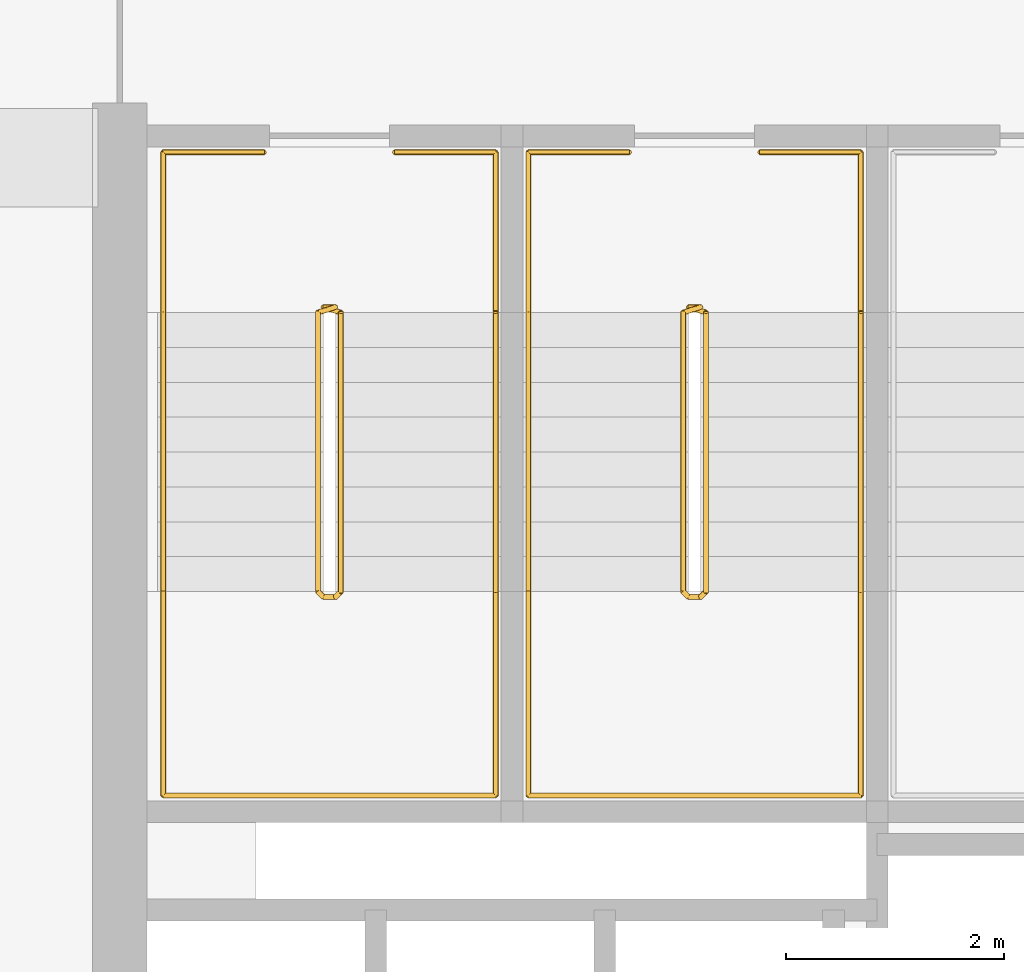
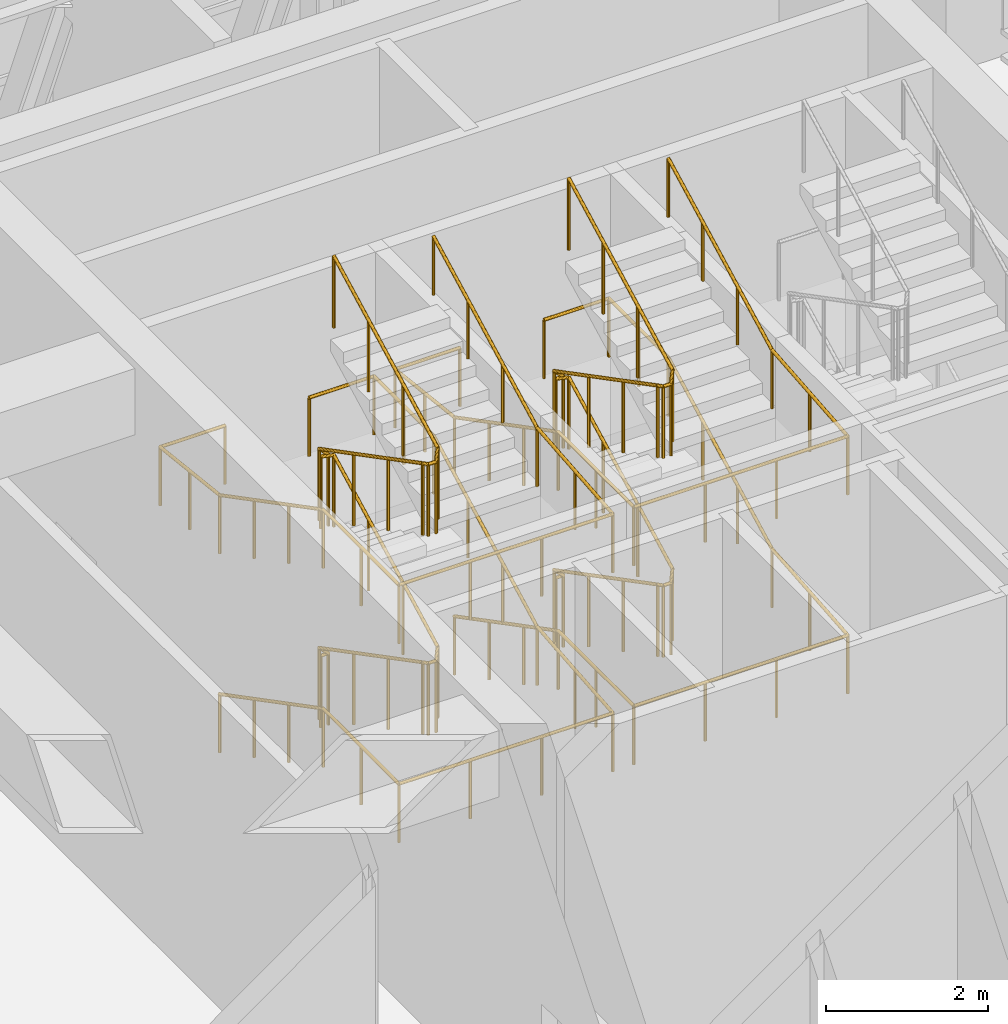
# One storey, part 18 of 19: 6 railings.
"""IFC4 building model written with IfcOpenShell, lengths in metres."""

from ifc_helpers import new_model, si_unit, direction, frame, origin, origin_2d, place, context, subcontext, project, spatial, circle, extrude, material, type_object, element, save


model = new_model("IFC4")

# Units and contexts
model_context = context("Model", 3, precision=1e-05, world=origin(), true_north=direction((0.0, 1.0)))
body_context = subcontext(model_context, "Body", "Model", "MODEL_VIEW")
ifc_project = project(units=[si_unit("LENGTHUNIT", "METRE"), si_unit("AREAUNIT", "SQUARE_METRE"), si_unit("VOLUMEUNIT", "CUBIC_METRE"), si_unit("PLANEANGLEUNIT", "RADIAN"), si_unit("MASSUNIT", "GRAM", prefix="KILO")], contexts=[model_context])

# Site, building, storey
site_placement = place(None, origin())
site = spatial("IfcSite", under=ifc_project, at=site_placement, CompositionType="ELEMENT")
building_placement = place(site_placement, origin())
building = spatial("IfcBuilding", under=site, at=building_placement, Name="Tessera Arch", CompositionType="ELEMENT")
storey_placement = place(building_placement, frame((0.0, 0.0, 197.300048828125)))
storey = spatial("IfcBuildingStorey", under=building, at=storey_placement, Name="L47", CompositionType="ELEMENT", Elevation=197.300048828125)

# Railings
ifc_material_1 = material(Name="Painted steel balustrade", Category="steel")
railing_type_1 = type_object("IfcRailingType", Name="Stair guard 1100", PredefinedType="GUARDRAIL", material=ifc_material_1)
railing_1_placement = place(storey_placement, frame((38.219970703125, 43.6298828125, 0.0)))
element("IfcRailing", 1, at=railing_1_placement, inside=storey, type_object=railing_type_1, Name="L47 S1a stair guard 1", PredefinedType="GUARDRAIL", context=body_context, shape_type="SweptSolid", body=[
    extrude(circle(Radius=0.02392578125, at=origin_2d()), frame((-0.00390625, 0.0, 1.076171875), z_axis=(1.0, 0.0, 0.0), x_axis=(0.0, 1.0, 0.0)), (0.0, 0.0, 1.0), 0.1181640625),
    extrude(circle(Radius=0.02392578125, at=origin_2d()), frame((0.11279296875, 0.000732421875, 1.0732421875), z_axis=(-0.677667147158, -0.210737954299, 0.704525906039), x_axis=(0.296948579431, -0.954893471113, 0.0)), (0.0, 0.0, 1.0), 0.244384765625),
    extrude(circle(Radius=0.02392578125, at=origin_2d()), frame((-0.050048828125, -0.046142578125, 1.24072265625), z_axis=(0.0, -0.886895313771, 0.46197045621), x_axis=(1.0, 0.0, 0.0)), (0.0, 0.0, 1.0), 2.89453125),
    extrude(circle(Radius=0.02392578125, at=origin_2d()), frame((-0.052978515625, -2.60693359375, 2.576171875), z_axis=(0.707106781187, -0.707106781187, 0.0), x_axis=(0.707106781187, 0.707106781187, 0.0)), (0.0, 0.0, 1.0), 0.078857421875),
    extrude(circle(Radius=0.02392578125, at=origin_2d()), frame((-0.00390625, -2.659912109375, 2.576171875), z_axis=(1.0, 0.0, 0.0), x_axis=(0.0, 1.0, 0.0)), (0.0, 0.0, 1.0), 0.1181640625),
    extrude(circle(Radius=0.02392578125, at=origin_2d()), frame((0.10888671875, -2.6611328125, 2.572265625), z_axis=(0.275382897532, 0.276732813696, 0.920642824102), x_axis=(-0.708833529934, 0.705375805398, 0.0)), (0.0, 0.0, 1.0), 0.18896484375),
    extrude(circle(Radius=0.02392578125, at=origin_2d()), frame((0.159912109375, -2.613525390625, 2.74072265625), z_axis=(0.0, 0.886895313771, 0.46197045621), x_axis=(-1.0, 0.0, 0.0)), (0.0, 0.0, 1.0), 2.89453125),
    extrude(circle(Radius=0.02392578125, at=origin_2d()), frame((0.163818359375, -0.051025390625, 4.076171875), z_axis=(-0.954764847777, 0.297361876254, 0.0), x_axis=(-0.297361876254, -0.954764847777, 0.0)), (0.0, 0.0, 1.0), 0.175537109375),
    extrude(circle(Radius=0.02392578125, at=origin_2d()), frame((-0.00390625, 0.0, 4.076171875), z_axis=(1.0, 0.0, 0.0), x_axis=(0.0, 1.0, 0.0)), (0.0, 0.0, 1.0), 0.1181640625),
    extrude(circle(Radius=0.02392578125, at=origin_2d()), frame((0.11279296875, 0.000732421875, 4.0732421875), z_axis=(-0.677667147158, -0.210737954299, 0.704525906039), x_axis=(0.296948579431, -0.954893471113, 0.0)), (0.0, 0.0, 1.0), 0.244384765625),
    extrude(circle(Radius=0.02392578125, at=origin_2d()), frame((-0.050048828125, -0.046142578125, 4.24072265625), z_axis=(0.0, -0.886895313771, 0.46197045621), x_axis=(1.0, 0.0, 0.0)), (0.0, 0.0, 1.0), 2.89453125),
    extrude(circle(Radius=0.02392578125, at=origin_2d()), frame((-0.052978515625, -2.60693359375, 5.576171875), z_axis=(0.707106781187, -0.707106781187, 0.0), x_axis=(0.707106781187, 0.707106781187, 0.0)), (0.0, 0.0, 1.0), 0.078857421875),
    extrude(circle(Radius=0.02392578125, at=origin_2d()), frame((-0.00390625, -2.659912109375, 5.576171875), z_axis=(1.0, 0.0, 0.0), x_axis=(0.0, 1.0, 0.0)), (0.0, 0.0, 1.0), 0.1181640625),
    extrude(circle(Radius=0.02392578125, at=origin_2d()), frame((0.10888671875, -2.6611328125, 5.572265625), z_axis=(0.275382897532, 0.276732813696, 0.920642824102), x_axis=(-0.708833529934, 0.705375805398, 0.0)), (0.0, 0.0, 1.0), 0.18896484375),
    extrude(circle(Radius=0.02392578125, at=origin_2d()), frame((0.159912109375, -2.613525390625, 5.74072265625), z_axis=(0.0, 0.886895313771, 0.46197045621), x_axis=(-1.0, 0.0, 0.0)), (0.0, 0.0, 1.0), 2.89453125),
    extrude(circle(Radius=0.02099609375, at=origin_2d()), origin(), (0.0, 0.0, 1.0), 1.06396484375),
    extrude(circle(Radius=0.02099609375, at=origin_2d()), frame((0.110107421875, 0.0, 0.0)), (0.0, 0.0, 1.0), 1.06396484375),
    extrude(circle(Radius=0.02099609375, at=origin_2d()), frame((-0.050048828125, -0.0498046875, 0.16650390625)), (0.0, 0.0, 1.0), 1.06396484375),
    extrude(circle(Radius=0.02099609375, at=origin_2d()), frame((-0.050048828125, -0.903076171875, 0.611083984375)), (0.0, 0.0, 1.0), 1.06396484375),
    extrude(circle(Radius=0.02099609375, at=origin_2d()), frame((-0.050048828125, -1.756591796875, 1.055419921875)), (0.0, 0.0, 1.0), 1.06396484375),
    extrude(circle(Radius=0.02099609375, at=origin_2d()), frame((-0.050048828125, -2.60986328125, 1.5)), (0.0, 0.0, 1.0), 1.06396484375),
    extrude(circle(Radius=0.02099609375, at=origin_2d()), frame((0.0, -2.659912109375, 1.5)), (0.0, 0.0, 1.0), 1.06396484375),
    extrude(circle(Radius=0.02099609375, at=origin_2d()), frame((0.110107421875, -2.659912109375, 1.5)), (0.0, 0.0, 1.0), 1.06396484375),
    extrude(circle(Radius=0.02099609375, at=origin_2d()), frame((0.159912109375, -2.60986328125, 1.66650390625)), (0.0, 0.0, 1.0), 1.06396484375),
    extrude(circle(Radius=0.02099609375, at=origin_2d()), frame((0.159912109375, -1.756591796875, 2.111083984375)), (0.0, 0.0, 1.0), 1.06396484375),
    extrude(circle(Radius=0.02099609375, at=origin_2d()), frame((0.159912109375, -0.903076171875, 2.555419921875)), (0.0, 0.0, 1.0), 1.06396484375),
    extrude(circle(Radius=0.02099609375, at=origin_2d()), frame((0.159912109375, -0.0498046875, 3.0)), (0.0, 0.0, 1.0), 1.06396484375),
    extrude(circle(Radius=0.02099609375, at=origin_2d()), frame((0.0, 0.0, 3.0)), (0.0, 0.0, 1.0), 1.06396484375),
    extrude(circle(Radius=0.02099609375, at=origin_2d()), frame((0.110107421875, 0.0, 3.0)), (0.0, 0.0, 1.0), 1.06396484375),
    extrude(circle(Radius=0.02099609375, at=origin_2d()), frame((-0.050048828125, -0.0498046875, 3.16650390625)), (0.0, 0.0, 1.0), 1.06396484375),
    extrude(circle(Radius=0.02099609375, at=origin_2d()), frame((-0.050048828125, -0.903076171875, 3.611083984375)), (0.0, 0.0, 1.0), 1.06396484375),
    extrude(circle(Radius=0.02099609375, at=origin_2d()), frame((-0.050048828125, -1.756591796875, 4.055419921875)), (0.0, 0.0, 1.0), 1.06396484375),
    extrude(circle(Radius=0.02099609375, at=origin_2d()), frame((-0.050048828125, -2.60986328125, 4.5)), (0.0, 0.0, 1.0), 1.06396484375),
    extrude(circle(Radius=0.02099609375, at=origin_2d()), frame((0.0, -2.659912109375, 4.5)), (0.0, 0.0, 1.0), 1.06396484375),
    extrude(circle(Radius=0.02099609375, at=origin_2d()), frame((0.110107421875, -2.659912109375, 4.5)), (0.0, 0.0, 1.0), 1.06396484375),
    extrude(circle(Radius=0.02099609375, at=origin_2d()), frame((0.159912109375, -2.60986328125, 4.66650390625)), (0.0, 0.0, 1.0), 1.06396484375),
    extrude(circle(Radius=0.02099609375, at=origin_2d()), frame((0.159912109375, -1.756591796875, 5.111083984375)), (0.0, 0.0, 1.0), 1.06396484375),
    extrude(circle(Radius=0.02099609375, at=origin_2d()), frame((0.159912109375, -0.903076171875, 5.555419921875)), (0.0, 0.0, 1.0), 1.06396484375),
    extrude(circle(Radius=0.02099609375, at=origin_2d()), frame((0.159912109375, -0.0498046875, 6.0)), (0.0, 0.0, 1.0), 1.06396484375),
])
railing_2_placement = place(storey_placement, frame((41.570068359375, 43.6298828125, 0.0)))
element("IfcRailing", 2, at=railing_2_placement, inside=storey, type_object=railing_type_1, Name="L47 S1b stair guard 1", PredefinedType="GUARDRAIL", context=body_context, shape_type="SweptSolid", body=[
    extrude(circle(Radius=0.02392578125, at=origin_2d()), frame((-0.00390625, 0.0, 1.076171875), z_axis=(1.0, 0.0, 0.0), x_axis=(0.0, 1.0, 0.0)), (0.0, 0.0, 1.0), 0.117919921875),
    extrude(circle(Radius=0.02392578125, at=origin_2d()), frame((0.112548828125, 0.000732421875, 1.0732421875), z_axis=(-0.67710793183, -0.210885523807, 0.705019251157), x_axis=(0.297361876254, -0.954764847777, 0.0)), (0.0, 0.0, 1.0), 0.244140625),
    extrude(circle(Radius=0.02392578125, at=origin_2d()), frame((-0.050048828125, -0.046142578125, 1.24072265625), z_axis=(0.0, -0.886895313771, 0.46197045621), x_axis=(1.0, 0.0, 0.0)), (0.0, 0.0, 1.0), 2.89453125),
    extrude(circle(Radius=0.02392578125, at=origin_2d()), frame((-0.052978515625, -2.60693359375, 2.576171875), z_axis=(0.707106781187, -0.707106781187, 0.0), x_axis=(0.707106781187, 0.707106781187, 0.0)), (0.0, 0.0, 1.0), 0.078857421875),
    extrude(circle(Radius=0.02392578125, at=origin_2d()), frame((-0.00390625, -2.659912109375, 2.576171875), z_axis=(1.0, 0.0, 0.0), x_axis=(0.0, 1.0, 0.0)), (0.0, 0.0, 1.0), 0.117919921875),
    extrude(circle(Radius=0.02392578125, at=origin_2d()), frame((0.108642578125, -2.6611328125, 2.572265625), z_axis=(0.27662974545, 0.27662974545, 0.920299933644), x_axis=(-0.707106781187, 0.707106781187, 0.0)), (0.0, 0.0, 1.0), 0.18896484375),
    extrude(circle(Radius=0.02392578125, at=origin_2d()), frame((0.159912109375, -2.613525390625, 2.74072265625), z_axis=(0.0, 0.886895313771, 0.46197045621), x_axis=(-1.0, 0.0, 0.0)), (0.0, 0.0, 1.0), 2.89453125),
    extrude(circle(Radius=0.02392578125, at=origin_2d()), frame((0.163818359375, -0.051025390625, 4.076171875), z_axis=(-0.954764847777, 0.297361876254, 0.0), x_axis=(-0.297361876254, -0.954764847777, 0.0)), (0.0, 0.0, 1.0), 0.175537109375),
    extrude(circle(Radius=0.02392578125, at=origin_2d()), frame((-0.00390625, 0.0, 4.076171875), z_axis=(1.0, 0.0, 0.0), x_axis=(0.0, 1.0, 0.0)), (0.0, 0.0, 1.0), 0.117919921875),
    extrude(circle(Radius=0.02392578125, at=origin_2d()), frame((0.112548828125, 0.000732421875, 4.0732421875), z_axis=(-0.67710793183, -0.210885523807, 0.705019251157), x_axis=(0.297361876254, -0.954764847777, 0.0)), (0.0, 0.0, 1.0), 0.244140625),
    extrude(circle(Radius=0.02392578125, at=origin_2d()), frame((-0.050048828125, -0.046142578125, 4.24072265625), z_axis=(0.0, -0.886895313771, 0.46197045621), x_axis=(1.0, 0.0, 0.0)), (0.0, 0.0, 1.0), 2.89453125),
    extrude(circle(Radius=0.02392578125, at=origin_2d()), frame((-0.052978515625, -2.60693359375, 5.576171875), z_axis=(0.707106781187, -0.707106781187, 0.0), x_axis=(0.707106781187, 0.707106781187, 0.0)), (0.0, 0.0, 1.0), 0.078857421875),
    extrude(circle(Radius=0.02392578125, at=origin_2d()), frame((-0.00390625, -2.659912109375, 5.576171875), z_axis=(1.0, 0.0, 0.0), x_axis=(0.0, 1.0, 0.0)), (0.0, 0.0, 1.0), 0.117919921875),
    extrude(circle(Radius=0.02392578125, at=origin_2d()), frame((0.108642578125, -2.6611328125, 5.572265625), z_axis=(0.27662974545, 0.27662974545, 0.920299933644), x_axis=(-0.707106781187, 0.707106781187, 0.0)), (0.0, 0.0, 1.0), 0.18896484375),
    extrude(circle(Radius=0.02392578125, at=origin_2d()), frame((0.159912109375, -2.613525390625, 5.74072265625), z_axis=(0.0, 0.886895313771, 0.46197045621), x_axis=(-1.0, 0.0, 0.0)), (0.0, 0.0, 1.0), 2.89453125),
    extrude(circle(Radius=0.02099609375, at=origin_2d()), origin(), (0.0, 0.0, 1.0), 1.06396484375),
    extrude(circle(Radius=0.02099609375, at=origin_2d()), frame((0.10986328125, 0.0, 0.0)), (0.0, 0.0, 1.0), 1.06396484375),
    extrude(circle(Radius=0.02099609375, at=origin_2d()), frame((-0.050048828125, -0.0498046875, 0.16650390625)), (0.0, 0.0, 1.0), 1.06396484375),
    extrude(circle(Radius=0.02099609375, at=origin_2d()), frame((-0.050048828125, -0.903076171875, 0.611083984375)), (0.0, 0.0, 1.0), 1.06396484375),
    extrude(circle(Radius=0.02099609375, at=origin_2d()), frame((-0.050048828125, -1.756591796875, 1.055419921875)), (0.0, 0.0, 1.0), 1.06396484375),
    extrude(circle(Radius=0.02099609375, at=origin_2d()), frame((-0.050048828125, -2.60986328125, 1.5)), (0.0, 0.0, 1.0), 1.06396484375),
    extrude(circle(Radius=0.02099609375, at=origin_2d()), frame((0.0, -2.659912109375, 1.5)), (0.0, 0.0, 1.0), 1.06396484375),
    extrude(circle(Radius=0.02099609375, at=origin_2d()), frame((0.10986328125, -2.659912109375, 1.5)), (0.0, 0.0, 1.0), 1.06396484375),
    extrude(circle(Radius=0.02099609375, at=origin_2d()), frame((0.159912109375, -2.60986328125, 1.66650390625)), (0.0, 0.0, 1.0), 1.06396484375),
    extrude(circle(Radius=0.02099609375, at=origin_2d()), frame((0.159912109375, -1.756591796875, 2.111083984375)), (0.0, 0.0, 1.0), 1.06396484375),
    extrude(circle(Radius=0.02099609375, at=origin_2d()), frame((0.159912109375, -0.903076171875, 2.555419921875)), (0.0, 0.0, 1.0), 1.06396484375),
    extrude(circle(Radius=0.02099609375, at=origin_2d()), frame((0.159912109375, -0.0498046875, 3.0)), (0.0, 0.0, 1.0), 1.06396484375),
    extrude(circle(Radius=0.02099609375, at=origin_2d()), frame((0.0, 0.0, 3.0)), (0.0, 0.0, 1.0), 1.06396484375),
    extrude(circle(Radius=0.02099609375, at=origin_2d()), frame((0.10986328125, 0.0, 3.0)), (0.0, 0.0, 1.0), 1.06396484375),
    extrude(circle(Radius=0.02099609375, at=origin_2d()), frame((-0.050048828125, -0.0498046875, 3.16650390625)), (0.0, 0.0, 1.0), 1.06396484375),
    extrude(circle(Radius=0.02099609375, at=origin_2d()), frame((-0.050048828125, -0.903076171875, 3.611083984375)), (0.0, 0.0, 1.0), 1.06396484375),
    extrude(circle(Radius=0.02099609375, at=origin_2d()), frame((-0.050048828125, -1.756591796875, 4.055419921875)), (0.0, 0.0, 1.0), 1.06396484375),
    extrude(circle(Radius=0.02099609375, at=origin_2d()), frame((-0.050048828125, -2.60986328125, 4.5)), (0.0, 0.0, 1.0), 1.06396484375),
    extrude(circle(Radius=0.02099609375, at=origin_2d()), frame((0.0, -2.659912109375, 4.5)), (0.0, 0.0, 1.0), 1.06396484375),
    extrude(circle(Radius=0.02099609375, at=origin_2d()), frame((0.10986328125, -2.659912109375, 4.5)), (0.0, 0.0, 1.0), 1.06396484375),
    extrude(circle(Radius=0.02099609375, at=origin_2d()), frame((0.159912109375, -2.60986328125, 4.66650390625)), (0.0, 0.0, 1.0), 1.06396484375),
    extrude(circle(Radius=0.02099609375, at=origin_2d()), frame((0.159912109375, -1.756591796875, 5.111083984375)), (0.0, 0.0, 1.0), 1.06396484375),
    extrude(circle(Radius=0.02099609375, at=origin_2d()), frame((0.159912109375, -0.903076171875, 5.555419921875)), (0.0, 0.0, 1.0), 1.06396484375),
    extrude(circle(Radius=0.02099609375, at=origin_2d()), frame((0.159912109375, -0.0498046875, 6.0)), (0.0, 0.0, 1.0), 1.06396484375),
])
ifc_material_2 = material(Name="Painted steel handrail", Category="steel")
railing_type_2 = type_object("IfcRailingType", Name="Stair handrail 900", PredefinedType="HANDRAIL", material=ifc_material_2)
railing_3_placement = place(storey_placement, frame((36.75, 43.580078125, 0.16650390625)))
element("IfcRailing", 3, at=railing_3_placement, inside=storey, type_object=railing_type_2, Name="L47 S1a stair handrail", PredefinedType="HANDRAIL", context=body_context, shape_type="SweptSolid", body=[
    extrude(circle(Radius=0.02392578125, at=origin_2d()), frame((0.0, 0.003662109375, 0.8740234375), z_axis=(0.0, -0.886895313771, 0.46197045621), x_axis=(1.0, 0.0, 0.0)), (0.0, 0.0, 1.0), 2.89453125),
    extrude(circle(Radius=0.02392578125, at=origin_2d()), frame((0.0, -2.55615234375, 2.20947265625), z_axis=(0.0, -1.0, 0.0), x_axis=(1.0, 0.0, 0.0)), (0.0, 0.0, 1.0), 1.878173828125),
    extrude(circle(Radius=0.02392578125, at=origin_2d()), frame((-0.00390625, -4.43017578125, 2.20947265625), z_axis=(1.0, 0.0, 0.0), x_axis=(0.0, 1.0, 0.0)), (0.0, 0.0, 1.0), 3.05810546875),
    extrude(circle(Radius=0.02392578125, at=origin_2d()), frame((3.050048828125, -4.43408203125, 2.208984375), z_axis=(0.0, 0.996059888199, 0.088683138871), x_axis=(-1.0, 0.0, 0.0)), (0.0, 0.0, 1.0), 1.885498046875),
    extrude(circle(Radius=0.02392578125, at=origin_2d()), frame((3.050048828125, -2.563720703125, 2.3740234375), z_axis=(0.0, 0.886895313771, 0.46197045621), x_axis=(-1.0, 0.0, 0.0)), (0.0, 0.0, 1.0), 2.89453125),
    extrude(circle(Radius=0.02392578125, at=origin_2d()), frame((3.050048828125, -0.00390625, 3.70947265625), z_axis=(0.0, 1.0, 0.0), x_axis=(-1.0, 0.0, 0.0)), (0.0, 0.0, 1.0), 1.47802734375),
    extrude(circle(Radius=0.02392578125, at=origin_2d()), frame((3.053955078125, 1.469970703125, 3.70947265625), z_axis=(-1.0, 0.0, 0.0), x_axis=(0.0, -1.0, 0.0)), (0.0, 0.0, 1.0), 0.93310546875),
    extrude(circle(Radius=0.02099609375, at=origin_2d()), origin(), (0.0, 0.0, 1.0), 0.86376953125),
    extrude(circle(Radius=0.02099609375, at=origin_2d()), frame((0.0, -0.853271484375, 0.444580078125)), (0.0, 0.0, 1.0), 0.86376953125),
    extrude(circle(Radius=0.02099609375, at=origin_2d()), frame((0.0, -1.706787109375, 0.888916015625)), (0.0, 0.0, 1.0), 0.86376953125),
    extrude(circle(Radius=0.02099609375, at=origin_2d()), frame((0.0, -2.56005859375, 1.33349609375)), (0.0, 0.0, 1.0), 0.86376953125),
    extrude(circle(Radius=0.02099609375, at=origin_2d()), frame((0.0, -3.4951171875, 1.33349609375)), (0.0, 0.0, 1.0), 0.86376953125),
    extrude(circle(Radius=0.02099609375, at=origin_2d()), frame((0.0, -4.43017578125, 1.33349609375)), (0.0, 0.0, 1.0), 0.86376953125),
    extrude(circle(Radius=0.02099609375, at=origin_2d()), frame((1.0166015625, -4.43017578125, 1.33349609375)), (0.0, 0.0, 1.0), 0.86376953125),
    extrude(circle(Radius=0.02099609375, at=origin_2d()), frame((2.033447265625, -4.43017578125, 1.33349609375)), (0.0, 0.0, 1.0), 0.86376953125),
    extrude(circle(Radius=0.02099609375, at=origin_2d()), frame((3.050048828125, -4.43017578125, 1.33349609375)), (0.0, 0.0, 1.0), 0.86376953125),
    extrude(circle(Radius=0.02099609375, at=origin_2d()), frame((3.050048828125, -3.4951171875, 1.416748046875)), (0.0, 0.0, 1.0), 0.86376953125),
    extrude(circle(Radius=0.02099609375, at=origin_2d()), frame((3.050048828125, -2.56005859375, 1.5)), (0.0, 0.0, 1.0), 0.86376953125),
    extrude(circle(Radius=0.02099609375, at=origin_2d()), frame((3.050048828125, -1.706787109375, 1.944580078125)), (0.0, 0.0, 1.0), 0.86376953125),
    extrude(circle(Radius=0.02099609375, at=origin_2d()), frame((3.050048828125, -0.853271484375, 2.388916015625)), (0.0, 0.0, 1.0), 0.86376953125),
    extrude(circle(Radius=0.02099609375, at=origin_2d()), frame((3.050048828125, 0.0, 2.83349609375)), (0.0, 0.0, 1.0), 0.86376953125),
    extrude(circle(Radius=0.02099609375, at=origin_2d()), frame((3.050048828125, 0.73486328125, 2.83349609375)), (0.0, 0.0, 1.0), 0.86376953125),
    extrude(circle(Radius=0.02099609375, at=origin_2d()), frame((3.050048828125, 1.469970703125, 2.83349609375)), (0.0, 0.0, 1.0), 0.86376953125),
    extrude(circle(Radius=0.02099609375, at=origin_2d()), frame((2.125, 1.469970703125, 2.83349609375)), (0.0, 0.0, 1.0), 0.86376953125),
])
railing_4_placement = place(storey_placement, frame((37.675048828125, 45.050048828125, 3.0)))
element("IfcRailing", 4, at=railing_4_placement, inside=storey, type_object=railing_type_2, Name="L47 S1a stair handrail 2", PredefinedType="HANDRAIL", context=body_context, shape_type="SweptSolid", body=[
    extrude(circle(Radius=0.02392578125, at=origin_2d()), frame((0.00390625, 0.0, 0.8759765625), z_axis=(-1.0, 0.0, 0.0), x_axis=(0.0, -1.0, 0.0)), (0.0, 0.0, 1.0), 0.93310546875),
    extrude(circle(Radius=0.02392578125, at=origin_2d()), frame((-0.925048828125, 0.00390625, 0.87548828125), z_axis=(0.0, -0.993646005566, 0.11255050254), x_axis=(1.0, 0.0, 0.0)), (0.0, 0.0, 1.0), 1.4873046875),
    extrude(circle(Radius=0.02392578125, at=origin_2d()), frame((-0.925048828125, -1.46630859375, 1.04052734375), z_axis=(0.0, -0.886895313771, 0.46197045621), x_axis=(1.0, 0.0, 0.0)), (0.0, 0.0, 1.0), 2.89453125),
    extrude(circle(Radius=0.02392578125, at=origin_2d()), frame((-0.925048828125, -4.026123046875, 2.3759765625), z_axis=(0.0, -1.0, 0.0), x_axis=(1.0, 0.0, 0.0)), (0.0, 0.0, 1.0), 1.878173828125),
    extrude(circle(Radius=0.02392578125, at=origin_2d()), frame((-0.928955078125, -5.900146484375, 2.3759765625), z_axis=(1.0, 0.0, 0.0), x_axis=(0.0, 1.0, 0.0)), (0.0, 0.0, 1.0), 3.05810546875),
    extrude(circle(Radius=0.02392578125, at=origin_2d()), frame((2.125, -5.904052734375, 2.37548828125), z_axis=(0.0, 0.996059888199, 0.088683138871), x_axis=(-1.0, 0.0, 0.0)), (0.0, 0.0, 1.0), 1.885498046875),
    extrude(circle(Radius=0.02392578125, at=origin_2d()), frame((2.125, -4.03369140625, 2.54052734375), z_axis=(0.0, 0.886895313771, 0.46197045621), x_axis=(-1.0, 0.0, 0.0)), (0.0, 0.0, 1.0), 2.89453125),
    extrude(circle(Radius=0.02099609375, at=origin_2d()), origin(), (0.0, 0.0, 1.0), 0.86376953125),
    extrude(circle(Radius=0.02099609375, at=origin_2d()), frame((-0.925048828125, 0.0, 0.0)), (0.0, 0.0, 1.0), 0.86376953125),
    extrude(circle(Radius=0.02099609375, at=origin_2d()), frame((-0.925048828125, -0.73486328125, 0.083251953125)), (0.0, 0.0, 1.0), 0.86376953125),
    extrude(circle(Radius=0.02099609375, at=origin_2d()), frame((-0.925048828125, -1.469970703125, 0.16650390625)), (0.0, 0.0, 1.0), 0.86376953125),
    extrude(circle(Radius=0.02099609375, at=origin_2d()), frame((-0.925048828125, -2.3232421875, 0.611083984375)), (0.0, 0.0, 1.0), 0.86376953125),
    extrude(circle(Radius=0.02099609375, at=origin_2d()), frame((-0.925048828125, -3.1767578125, 1.055419921875)), (0.0, 0.0, 1.0), 0.86376953125),
    extrude(circle(Radius=0.02099609375, at=origin_2d()), frame((-0.925048828125, -4.030029296875, 1.5)), (0.0, 0.0, 1.0), 0.86376953125),
    extrude(circle(Radius=0.02099609375, at=origin_2d()), frame((-0.925048828125, -4.965087890625, 1.5)), (0.0, 0.0, 1.0), 0.86376953125),
    extrude(circle(Radius=0.02099609375, at=origin_2d()), frame((-0.925048828125, -5.900146484375, 1.5)), (0.0, 0.0, 1.0), 0.86376953125),
    extrude(circle(Radius=0.02099609375, at=origin_2d()), frame((0.091552734375, -5.900146484375, 1.5)), (0.0, 0.0, 1.0), 0.86376953125),
    extrude(circle(Radius=0.02099609375, at=origin_2d()), frame((1.1083984375, -5.900146484375, 1.5)), (0.0, 0.0, 1.0), 0.86376953125),
    extrude(circle(Radius=0.02099609375, at=origin_2d()), frame((2.125, -5.900146484375, 1.5)), (0.0, 0.0, 1.0), 0.86376953125),
    extrude(circle(Radius=0.02099609375, at=origin_2d()), frame((2.125, -4.965087890625, 1.583251953125)), (0.0, 0.0, 1.0), 0.86376953125),
    extrude(circle(Radius=0.02099609375, at=origin_2d()), frame((2.125, -4.030029296875, 1.66650390625)), (0.0, 0.0, 1.0), 0.86376953125),
    extrude(circle(Radius=0.02099609375, at=origin_2d()), frame((2.125, -3.1767578125, 2.111083984375)), (0.0, 0.0, 1.0), 0.86376953125),
    extrude(circle(Radius=0.02099609375, at=origin_2d()), frame((2.125, -2.3232421875, 2.555419921875)), (0.0, 0.0, 1.0), 0.86376953125),
    extrude(circle(Radius=0.02099609375, at=origin_2d()), frame((2.125, -1.469970703125, 3.0)), (0.0, 0.0, 1.0), 0.86376953125),
])
railing_5_placement = place(storey_placement, frame((40.10009765625, 43.580078125, 0.16650390625)))
element("IfcRailing", 5, at=railing_5_placement, inside=storey, type_object=railing_type_2, Name="L47 S1b stair handrail", PredefinedType="HANDRAIL", context=body_context, shape_type="SweptSolid", body=[
    extrude(circle(Radius=0.02392578125, at=origin_2d()), frame((0.0, 0.003662109375, 0.8740234375), z_axis=(0.0, -0.886895313771, 0.46197045621), x_axis=(1.0, 0.0, 0.0)), (0.0, 0.0, 1.0), 2.89453125),
    extrude(circle(Radius=0.02392578125, at=origin_2d()), frame((0.0, -2.55615234375, 2.20947265625), z_axis=(0.0, -1.0, 0.0), x_axis=(1.0, 0.0, 0.0)), (0.0, 0.0, 1.0), 1.878173828125),
    extrude(circle(Radius=0.02392578125, at=origin_2d()), frame((-0.00390625, -4.43017578125, 2.20947265625), z_axis=(1.0, 0.0, 0.0), x_axis=(0.0, 1.0, 0.0)), (0.0, 0.0, 1.0), 3.057861328125),
    extrude(circle(Radius=0.02392578125, at=origin_2d()), frame((3.0498046875, -4.43408203125, 2.208984375), z_axis=(0.0, 0.996059888199, 0.088683138871), x_axis=(-1.0, 0.0, 0.0)), (0.0, 0.0, 1.0), 1.885498046875),
    extrude(circle(Radius=0.02392578125, at=origin_2d()), frame((3.0498046875, -2.563720703125, 2.3740234375), z_axis=(0.0, 0.886895313771, 0.46197045621), x_axis=(-1.0, 0.0, 0.0)), (0.0, 0.0, 1.0), 2.89453125),
    extrude(circle(Radius=0.02392578125, at=origin_2d()), frame((3.0498046875, -0.00390625, 3.70947265625), z_axis=(0.0, 1.0, 0.0), x_axis=(-1.0, 0.0, 0.0)), (0.0, 0.0, 1.0), 1.47802734375),
    extrude(circle(Radius=0.02392578125, at=origin_2d()), frame((3.0537109375, 1.469970703125, 3.70947265625), z_axis=(-1.0, 0.0, 0.0), x_axis=(0.0, -1.0, 0.0)), (0.0, 0.0, 1.0), 0.932861328125),
    extrude(circle(Radius=0.02099609375, at=origin_2d()), origin(), (0.0, 0.0, 1.0), 0.86376953125),
    extrude(circle(Radius=0.02099609375, at=origin_2d()), frame((0.0, -0.853271484375, 0.444580078125)), (0.0, 0.0, 1.0), 0.86376953125),
    extrude(circle(Radius=0.02099609375, at=origin_2d()), frame((0.0, -1.706787109375, 0.888916015625)), (0.0, 0.0, 1.0), 0.86376953125),
    extrude(circle(Radius=0.02099609375, at=origin_2d()), frame((0.0, -2.56005859375, 1.33349609375)), (0.0, 0.0, 1.0), 0.86376953125),
    extrude(circle(Radius=0.02099609375, at=origin_2d()), frame((0.0, -3.4951171875, 1.33349609375)), (0.0, 0.0, 1.0), 0.86376953125),
    extrude(circle(Radius=0.02099609375, at=origin_2d()), frame((0.0, -4.43017578125, 1.33349609375)), (0.0, 0.0, 1.0), 0.86376953125),
    extrude(circle(Radius=0.02099609375, at=origin_2d()), frame((1.0166015625, -4.43017578125, 1.33349609375)), (0.0, 0.0, 1.0), 0.86376953125),
    extrude(circle(Radius=0.02099609375, at=origin_2d()), frame((2.033203125, -4.43017578125, 1.33349609375)), (0.0, 0.0, 1.0), 0.86376953125),
    extrude(circle(Radius=0.02099609375, at=origin_2d()), frame((3.0498046875, -4.43017578125, 1.33349609375)), (0.0, 0.0, 1.0), 0.86376953125),
    extrude(circle(Radius=0.02099609375, at=origin_2d()), frame((3.0498046875, -3.4951171875, 1.416748046875)), (0.0, 0.0, 1.0), 0.86376953125),
    extrude(circle(Radius=0.02099609375, at=origin_2d()), frame((3.0498046875, -2.56005859375, 1.5)), (0.0, 0.0, 1.0), 0.86376953125),
    extrude(circle(Radius=0.02099609375, at=origin_2d()), frame((3.0498046875, -1.706787109375, 1.944580078125)), (0.0, 0.0, 1.0), 0.86376953125),
    extrude(circle(Radius=0.02099609375, at=origin_2d()), frame((3.0498046875, -0.853271484375, 2.388916015625)), (0.0, 0.0, 1.0), 0.86376953125),
    extrude(circle(Radius=0.02099609375, at=origin_2d()), frame((3.0498046875, 0.0, 2.83349609375)), (0.0, 0.0, 1.0), 0.86376953125),
    extrude(circle(Radius=0.02099609375, at=origin_2d()), frame((3.0498046875, 0.73486328125, 2.83349609375)), (0.0, 0.0, 1.0), 0.86376953125),
    extrude(circle(Radius=0.02099609375, at=origin_2d()), frame((3.0498046875, 1.469970703125, 2.83349609375)), (0.0, 0.0, 1.0), 0.86376953125),
    extrude(circle(Radius=0.02099609375, at=origin_2d()), frame((2.125, 1.469970703125, 2.83349609375)), (0.0, 0.0, 1.0), 0.86376953125),
])
railing_6_placement = place(storey_placement, frame((41.02490234375, 45.050048828125, 3.0)))
element("IfcRailing", 6, at=railing_6_placement, inside=storey, type_object=railing_type_2, Name="L47 S1b stair handrail 2", PredefinedType="HANDRAIL", context=body_context, shape_type="SweptSolid", body=[
    extrude(circle(Radius=0.02392578125, at=origin_2d()), frame((0.00390625, 0.0, 0.8759765625), z_axis=(-1.0, 0.0, 0.0), x_axis=(0.0, -1.0, 0.0)), (0.0, 0.0, 1.0), 0.932861328125),
    extrude(circle(Radius=0.02392578125, at=origin_2d()), frame((-0.9248046875, 0.00390625, 0.87548828125), z_axis=(0.0, -0.993646005566, 0.11255050254), x_axis=(1.0, 0.0, 0.0)), (0.0, 0.0, 1.0), 1.4873046875),
    extrude(circle(Radius=0.02392578125, at=origin_2d()), frame((-0.9248046875, -1.46630859375, 1.04052734375), z_axis=(0.0, -0.886895313771, 0.46197045621), x_axis=(1.0, 0.0, 0.0)), (0.0, 0.0, 1.0), 2.89453125),
    extrude(circle(Radius=0.02392578125, at=origin_2d()), frame((-0.9248046875, -4.026123046875, 2.3759765625), z_axis=(0.0, -1.0, 0.0), x_axis=(1.0, 0.0, 0.0)), (0.0, 0.0, 1.0), 1.878173828125),
    extrude(circle(Radius=0.02392578125, at=origin_2d()), frame((-0.9287109375, -5.900146484375, 2.3759765625), z_axis=(1.0, 0.0, 0.0), x_axis=(0.0, 1.0, 0.0)), (0.0, 0.0, 1.0), 3.057861328125),
    extrude(circle(Radius=0.02392578125, at=origin_2d()), frame((2.125, -5.904052734375, 2.37548828125), z_axis=(0.0, 0.996059888199, 0.088683138871), x_axis=(-1.0, 0.0, 0.0)), (0.0, 0.0, 1.0), 1.885498046875),
    extrude(circle(Radius=0.02392578125, at=origin_2d()), frame((2.125, -4.03369140625, 2.54052734375), z_axis=(0.0, 0.886895313771, 0.46197045621), x_axis=(-1.0, 0.0, 0.0)), (0.0, 0.0, 1.0), 2.89453125),
    extrude(circle(Radius=0.02099609375, at=origin_2d()), origin(), (0.0, 0.0, 1.0), 0.86376953125),
    extrude(circle(Radius=0.02099609375, at=origin_2d()), frame((-0.9248046875, 0.0, 0.0)), (0.0, 0.0, 1.0), 0.86376953125),
    extrude(circle(Radius=0.02099609375, at=origin_2d()), frame((-0.9248046875, -0.73486328125, 0.083251953125)), (0.0, 0.0, 1.0), 0.86376953125),
    extrude(circle(Radius=0.02099609375, at=origin_2d()), frame((-0.9248046875, -1.469970703125, 0.16650390625)), (0.0, 0.0, 1.0), 0.86376953125),
    extrude(circle(Radius=0.02099609375, at=origin_2d()), frame((-0.9248046875, -2.3232421875, 0.611083984375)), (0.0, 0.0, 1.0), 0.86376953125),
    extrude(circle(Radius=0.02099609375, at=origin_2d()), frame((-0.9248046875, -3.1767578125, 1.055419921875)), (0.0, 0.0, 1.0), 0.86376953125),
    extrude(circle(Radius=0.02099609375, at=origin_2d()), frame((-0.9248046875, -4.030029296875, 1.5)), (0.0, 0.0, 1.0), 0.86376953125),
    extrude(circle(Radius=0.02099609375, at=origin_2d()), frame((-0.9248046875, -4.965087890625, 1.5)), (0.0, 0.0, 1.0), 0.86376953125),
    extrude(circle(Radius=0.02099609375, at=origin_2d()), frame((-0.9248046875, -5.900146484375, 1.5)), (0.0, 0.0, 1.0), 0.86376953125),
    extrude(circle(Radius=0.02099609375, at=origin_2d()), frame((0.091796875, -5.900146484375, 1.5)), (0.0, 0.0, 1.0), 0.86376953125),
    extrude(circle(Radius=0.02099609375, at=origin_2d()), frame((1.1083984375, -5.900146484375, 1.5)), (0.0, 0.0, 1.0), 0.86376953125),
    extrude(circle(Radius=0.02099609375, at=origin_2d()), frame((2.125, -5.900146484375, 1.5)), (0.0, 0.0, 1.0), 0.86376953125),
    extrude(circle(Radius=0.02099609375, at=origin_2d()), frame((2.125, -4.965087890625, 1.583251953125)), (0.0, 0.0, 1.0), 0.86376953125),
    extrude(circle(Radius=0.02099609375, at=origin_2d()), frame((2.125, -4.030029296875, 1.66650390625)), (0.0, 0.0, 1.0), 0.86376953125),
    extrude(circle(Radius=0.02099609375, at=origin_2d()), frame((2.125, -3.1767578125, 2.111083984375)), (0.0, 0.0, 1.0), 0.86376953125),
    extrude(circle(Radius=0.02099609375, at=origin_2d()), frame((2.125, -2.3232421875, 2.555419921875)), (0.0, 0.0, 1.0), 0.86376953125),
    extrude(circle(Radius=0.02099609375, at=origin_2d()), frame((2.125, -1.469970703125, 3.0)), (0.0, 0.0, 1.0), 0.86376953125),
])

save(model, "model.ifc")
